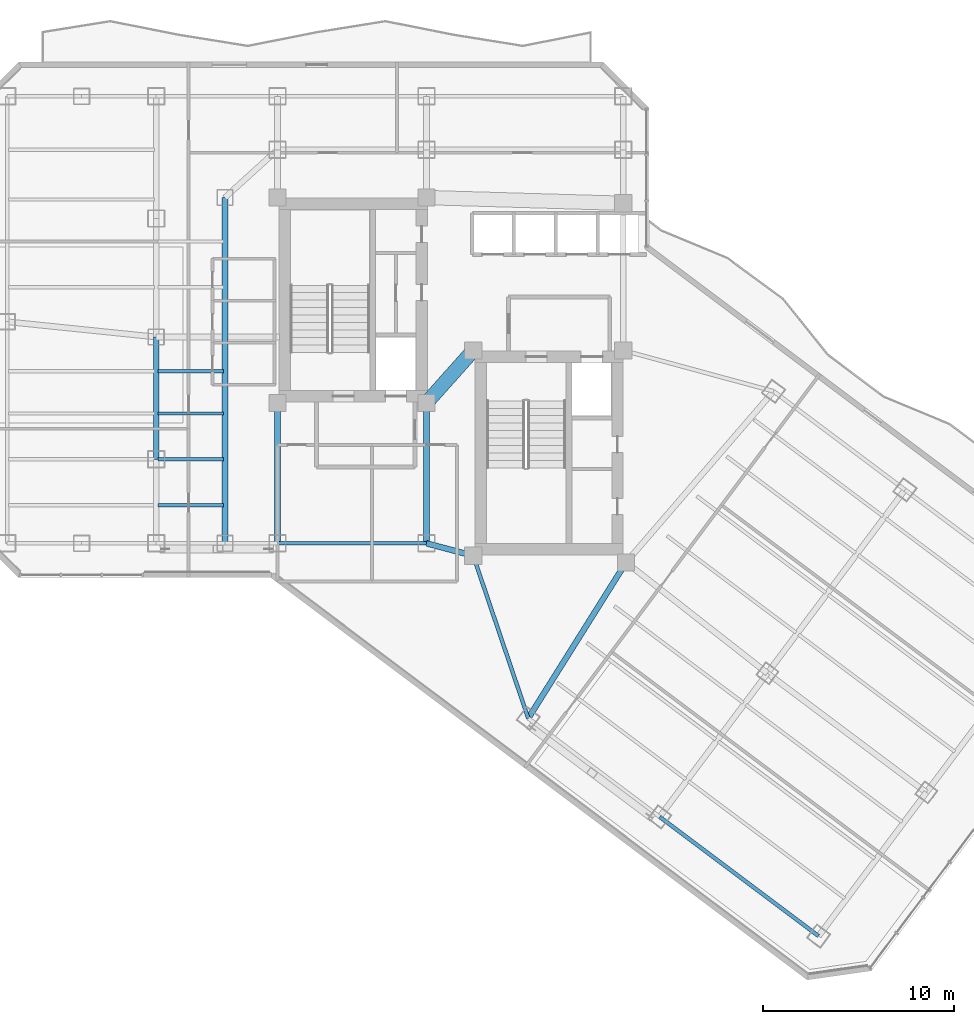
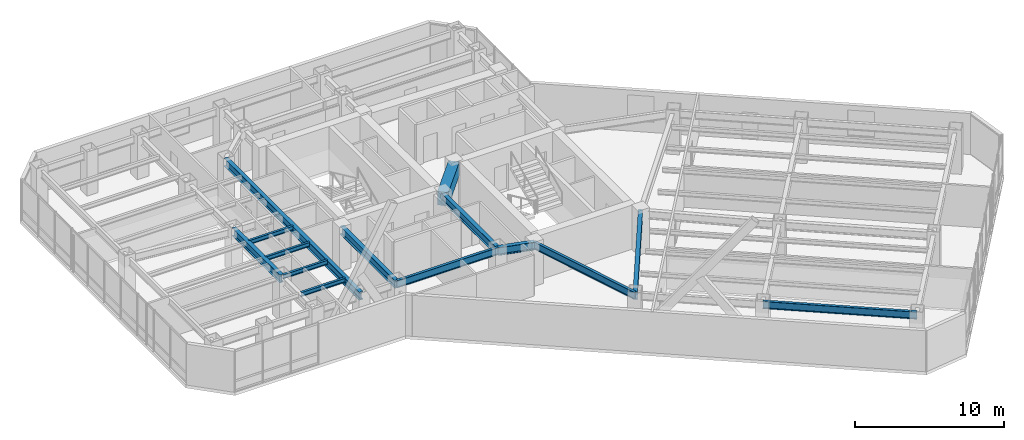
# One storey, part 5 of 29: 14 beams.
"""IFC4 building model written with IfcOpenShell, lengths in metres."""

from ifc_helpers import new_model, si_unit, direction, frame, origin, origin_2d, place, context, subcontext, project, spatial, rectangle, i_section, extrude, material, material_profile, profile_set, type_object, element, save


model = new_model("IFC4")

# Units and contexts
model_context = context("Model", 3, precision=1e-05, world=origin(), true_north=direction((0.0, 1.0)))
body_context = subcontext(model_context, "Body", "Model", "MODEL_VIEW")
ifc_project = project(units=[si_unit("LENGTHUNIT", "METRE"), si_unit("AREAUNIT", "SQUARE_METRE"), si_unit("VOLUMEUNIT", "CUBIC_METRE"), si_unit("PLANEANGLEUNIT", "RADIAN"), si_unit("MASSUNIT", "GRAM", prefix="KILO")], contexts=[model_context])

# Site, building, storey
site_placement = place(None, origin())
site = spatial("IfcSite", under=ifc_project, at=site_placement, CompositionType="ELEMENT")
building_placement = place(site_placement, origin())
building = spatial("IfcBuilding", under=site, at=building_placement, Name="Hatsunagi Terrace Concourse", CompositionType="ELEMENT")
storey_placement = place(building_placement, frame((0.0, 0.0, 119.25)))
storey = spatial("IfcBuildingStorey", under=building, at=storey_placement, Name="L31", CompositionType="ELEMENT", Elevation=119.25)

# Beams
ifc_material_1 = material(Name="Concrete Fc48", Category="concrete")
ifc_material_profile_1 = material_profile(ifc_material_1, rectangle(XDim=0.75, YDim=1.10009765625, at=origin_2d()), Name="RC-750x1100")
ifc_profile_set_1 = profile_set([ifc_material_profile_1], Name="Concrete Fc48")
beam_type_1 = type_object("IfcBeamType", Name="CoreCouplingBeam_RC_750x1100", PredefinedType="BEAM", material=ifc_profile_set_1)
beam_1_placement = place(storey_placement, frame((33.35009765625, 32.550048828125, 2.800048828125), z_axis=(0.665198651008, 0.746666427997, 0.0), x_axis=(-0.746666427997, 0.665198651008, 0.0)))
element("IfcBeam", 1, at=beam_1_placement, inside=storey, type_object=beam_type_1, Name="Beam CB-02 CB-L31-1", PredefinedType="BEAM", context=body_context, shape_type="SweptSolid", body=[
    extrude(rectangle(XDim=0.75, YDim=1.10009765625, at=origin_2d()), origin(), (0.0, 0.0, 1.0), 3.68310546875),
])
ifc_material_2 = material(Name="Steel SN490B", Category="steel")
ifc_material_profile_2 = material_profile(ifc_material_2, i_section(OverallWidth=0.175048828125, OverallDepth=0.35009765625, WebThickness=0.007080078125, FlangeThickness=0.010986328125, FilletRadius=0.012939453125, at=origin_2d()), Name="H-350x175x7x11")
ifc_profile_set_2 = profile_set([ifc_material_profile_2], Name="Steel SN490B")
beam_type_2 = type_object("IfcBeamType", Name="HotelJoist_H_350x175", PredefinedType="JOIST", material=ifc_profile_set_2)
for number, where, z_axis, x_axis, name in (
    (2, (19.284912109375, 27.199951171875, 3.175048828125), (1.0, 0.0, 0.0), (0.0, 1.0, 0.0), "Beam J-02 J-L31-W-19-272"),
    (3, (19.284912109375, 29.60009765625, 3.175048828125), (1.0, 0.0, 0.0), (0.0, 1.0, 0.0), "Beam J-02 J-L31-W-19-296"),
    (4, (19.284912109375, 32.0, 3.175048828125), (1.0, 0.0, 0.0), (0.0, 1.0, 0.0), "Beam J-02 J-L31-W-19-320"),
    (5, (19.284912109375, 34.199951171875, 3.175048828125), (1.0, 0.0, 0.0), (0.0, 1.0, 0.0), "Beam J-02 J-L31-W-19-342"),
):
    element("IfcBeam", number, at=place(storey_placement, frame(where, z_axis=z_axis, x_axis=x_axis)), inside=storey, type_object=beam_type_2, Name=name, PredefinedType="JOIST", context=body_context, shape_type="SweptSolid", body=[
        extrude(i_section(OverallWidth=0.175048828125, OverallDepth=0.35009765625, WebThickness=0.007080078125, FlangeThickness=0.010986328125, FilletRadius=0.012939453125, at=origin_2d()), origin(), (0.0, 0.0, 1.0), 3.43017578125),
    ])
ifc_material_3 = material(Name="Steel SN490B", Category="steel")
ifc_material_profile_3 = material_profile(ifc_material_3, i_section(OverallWidth=0.300048828125, OverallDepth=0.64990234375, WebThickness=0.012939453125, FlangeThickness=0.02197265625, FilletRadius=0.01806640625, at=origin_2d()), Name="H-650x300x13x22")
ifc_profile_set_3 = profile_set([ifc_material_profile_3], Name="Steel SN490B")
beam_type_3 = type_object("IfcBeamType", Name="OfficeLowGirder_H_650x300", PredefinedType="BEAM", material=ifc_profile_set_3)
for number, where, z_axis, x_axis, name in (
    (6, (25.550048828125, 25.199951171875, 3.02490234375), (0.0, 1.0, 0.0), (-1.0, 0.0, 0.0), "Beam G-05 BM-L31-K1CA"),
    (7, (33.35009765625, 25.199951171875, 3.02490234375), (0.0, 1.0, 0.0), (-1.0, 0.0, 0.0), "Beam G-05 BM-L31-K2CA"),
):
    element("IfcBeam", number, at=place(storey_placement, frame(where, z_axis=z_axis, x_axis=x_axis)), inside=storey, type_object=beam_type_3, Name=name, PredefinedType="BEAM", context=body_context, shape_type="SweptSolid", body=[
        extrude(i_section(OverallWidth=0.300048828125, OverallDepth=0.64990234375, WebThickness=0.012939453125, FlangeThickness=0.02197265625, FilletRadius=0.01806640625, at=origin_2d()), origin(), (0.0, 0.0, 1.0), 7.35009765625),
    ])
beam_2_placement = place(storey_placement, frame((33.35009765625, 25.199951171875, 3.02490234375), z_axis=(0.966569840116, -0.256403479262, 0.0), x_axis=(0.256403479262, 0.966569840116, 0.0)))
element("IfcBeam", 8, at=beam_2_placement, inside=storey, type_object=beam_type_3, Name="Beam G-05 BM-L31-K2CB", PredefinedType="BEAM", context=body_context, shape_type="SweptSolid", body=[
    extrude(i_section(OverallWidth=0.300048828125, OverallDepth=0.64990234375, WebThickness=0.012939453125, FlangeThickness=0.02197265625, FilletRadius=0.01806640625, at=origin_2d()), origin(), (0.0, 0.0, 1.0), 2.53466796875),
])
beam_3_placement = place(storey_placement, frame((22.800048828125, 25.199951171875, 3.02490234375), z_axis=(0.0, 1.0, 0.0), x_axis=(-1.0, 0.0, 0.0)))
element("IfcBeam", 9, at=beam_3_placement, inside=storey, type_object=beam_type_3, Name="Beam G-05 BM-L31-CWNS", PredefinedType="BEAM", context=body_context, shape_type="SweptSolid", body=[
    extrude(i_section(OverallWidth=0.300048828125, OverallDepth=0.64990234375, WebThickness=0.012939453125, FlangeThickness=0.02197265625, FilletRadius=0.01806640625, at=origin_2d()), origin(), (0.0, 0.0, 1.0), 18.10009765625),
])
beam_4_placement = place(storey_placement, frame((19.199951171875, 29.60009765625, 3.02490234375), z_axis=(0.0, 1.0, 0.0), x_axis=(-1.0, 0.0, 0.0)))
element("IfcBeam", 10, at=beam_4_placement, inside=storey, type_object=beam_type_3, Name="Beam G-05 BM-L31-NS-19-29", PredefinedType="BEAM", context=body_context, shape_type="SweptSolid", body=[
    extrude(i_section(OverallWidth=0.300048828125, OverallDepth=0.64990234375, WebThickness=0.012939453125, FlangeThickness=0.02197265625, FilletRadius=0.01806640625, at=origin_2d()), origin(), (0.0, 0.0, 1.0), 6.39990234375),
])
beam_5_placement = place(storey_placement, frame((38.679931640625, 16.0400390625, 3.02490234375), z_axis=(0.531503907049, 0.847055840421, 0.0), x_axis=(-0.847055840421, 0.531503907049, 0.0)))
element("IfcBeam", 11, at=beam_5_placement, inside=storey, type_object=beam_type_3, Name="Beam G-05 BM-L31-SET-1A", PredefinedType="BEAM", context=body_context, shape_type="SweptSolid", body=[
    extrude(i_section(OverallWidth=0.300048828125, OverallDepth=0.64990234375, WebThickness=0.012939453125, FlangeThickness=0.02197265625, FilletRadius=0.01806640625, at=origin_2d()), origin(), (0.0, 0.0, 1.0), 9.63330078125),
])
ifc_material_4 = material(Name="Steel SN490B", Category="steel")
ifc_material_profile_4 = material_profile(ifc_material_4, i_section(OverallWidth=0.199951171875, OverallDepth=0.60009765625, WebThickness=0.010986328125, FlangeThickness=0.01708984375, FilletRadius=0.01806640625, at=origin_2d()), Name="H-600x200x11x17")
ifc_profile_set_4 = profile_set([ifc_material_profile_4], Name="Steel SN490B")
beam_type_4 = type_object("IfcBeamType", Name="PerimeterSpandrel_H_600x200", PredefinedType="SPANDREL", material=ifc_profile_set_4)
beam_6_placement = place(storey_placement, frame((25.550048828125, 25.199951171875, 3.050048828125), z_axis=(1.0, 0.0, 0.0), x_axis=(0.0, 1.0, 0.0)))
element("IfcBeam", 12, at=beam_6_placement, inside=storey, type_object=beam_type_4, Name="Beam SP-01 BM-L31-WS-25", PredefinedType="SPANDREL", context=body_context, shape_type="SweptSolid", body=[
    extrude(i_section(OverallWidth=0.199951171875, OverallDepth=0.60009765625, WebThickness=0.010986328125, FlangeThickness=0.01708984375, FilletRadius=0.01806640625, at=origin_2d()), origin(), (0.0, 0.0, 1.0), 7.800048828125),
])
beam_7_placement = place(storey_placement, frame((35.800048828125, 24.550048828125, 3.050048828125), z_axis=(0.320553412271, -0.947230441805, 0.0), x_axis=(0.947230441805, 0.320553412271, 0.0)))
element("IfcBeam", 13, at=beam_7_placement, inside=storey, type_object=beam_type_4, Name="Beam SP-01 BM-L31-SE-SW0", PredefinedType="SPANDREL", context=body_context, shape_type="SweptSolid", body=[
    extrude(i_section(OverallWidth=0.199951171875, OverallDepth=0.60009765625, WebThickness=0.010986328125, FlangeThickness=0.01708984375, FilletRadius=0.01806640625, at=origin_2d()), origin(), (0.0, 0.0, 1.0), 8.984130859375),
])
beam_8_placement = place(storey_placement, frame((45.56005859375, 10.8798828125, 3.050048828125), z_axis=(0.799994365871, -0.600007512099, 0.0), x_axis=(0.600007512099, 0.799994365871, 0.0)))
element("IfcBeam", 14, at=beam_8_placement, inside=storey, type_object=beam_type_4, Name="Beam SP-01 BM-L31-SE-SW3", PredefinedType="SPANDREL", context=body_context, shape_type="SweptSolid", body=[
    extrude(i_section(OverallWidth=0.199951171875, OverallDepth=0.60009765625, WebThickness=0.010986328125, FlangeThickness=0.01708984375, FilletRadius=0.01806640625, at=origin_2d()), origin(), (0.0, 0.0, 1.0), 10.39990234375),
])

save(model, "model.ifc")
